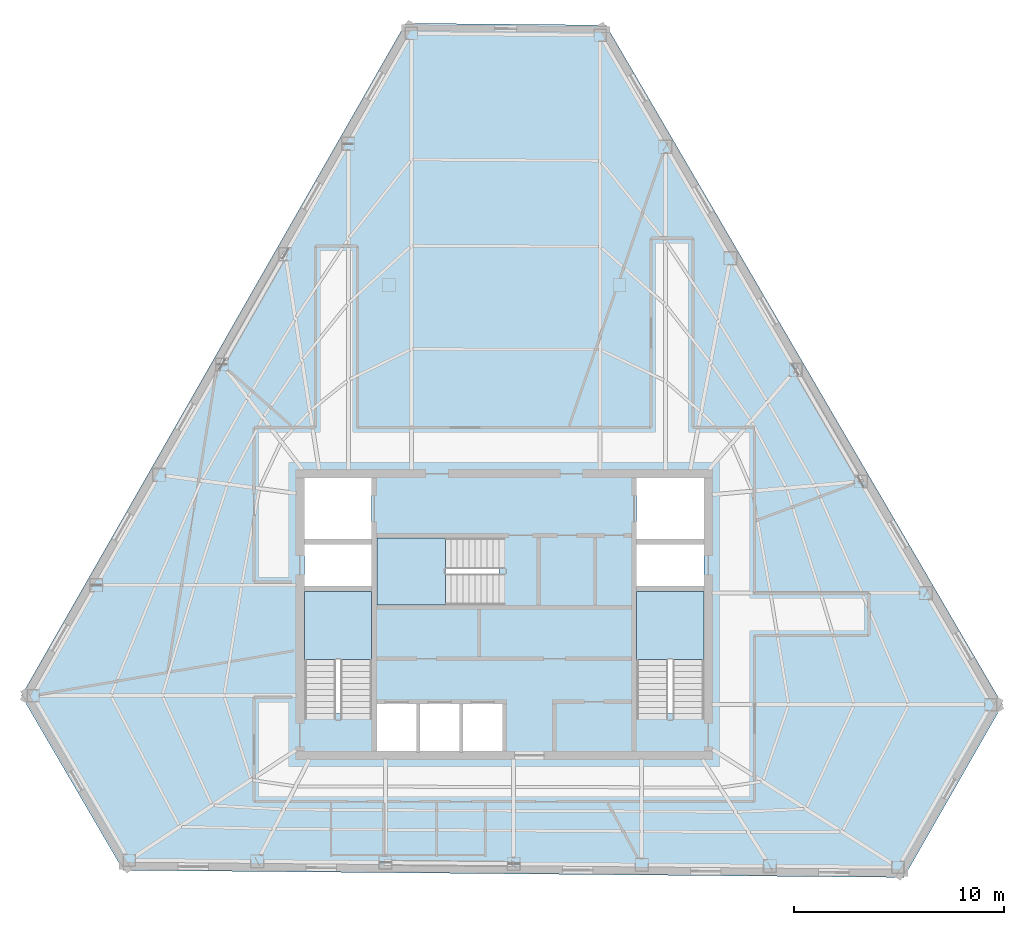
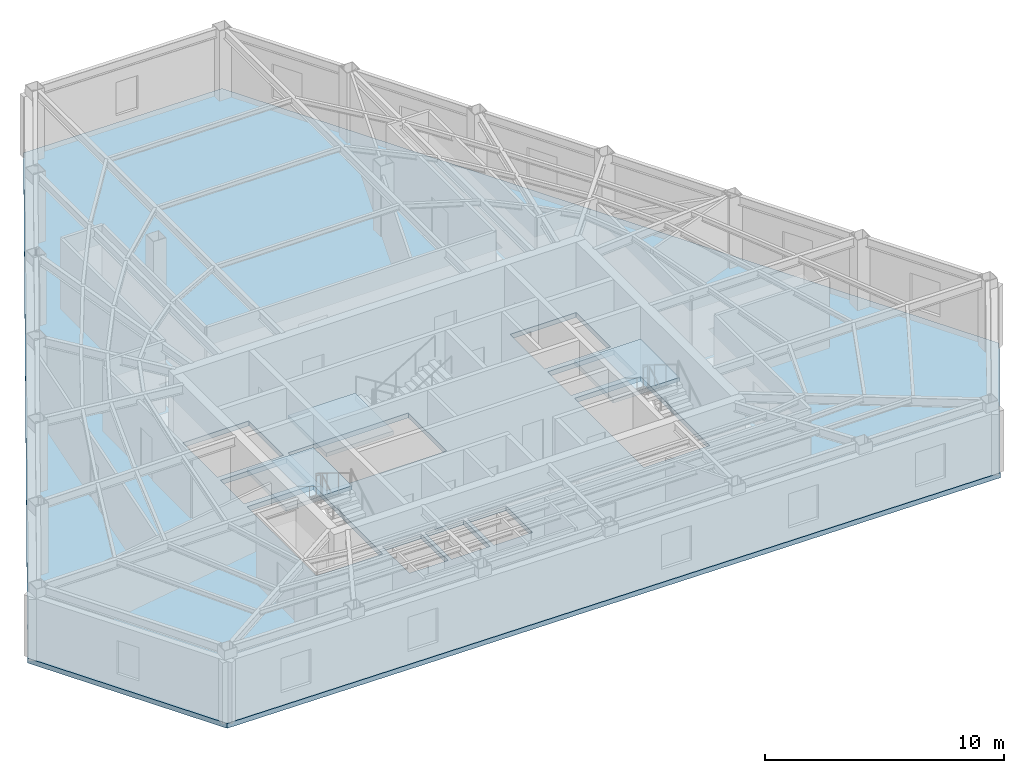
# One storey, part 3 of 10: 4 slabs, 3 elements without a shape of their own.
"""IFC4 building model written with IfcOpenShell, lengths in metres."""

from ifc_helpers import new_model, si_unit, direction, frame, origin, place, context, subcontext, project, spatial, polyline, outline, extrude, material, layer, layer_set, type_object, element, aggregate, save


model = new_model("IFC4")

# Units and contexts
model_context = context("Model", 3, precision=1e-05, world=origin(), true_north=direction((0.0, 1.0)))
body_context = subcontext(model_context, "Body", "Model", "MODEL_VIEW")
ifc_project = project(units=[si_unit("LENGTHUNIT", "METRE"), si_unit("AREAUNIT", "SQUARE_METRE"), si_unit("VOLUMEUNIT", "CUBIC_METRE"), si_unit("PLANEANGLEUNIT", "RADIAN"), si_unit("MASSUNIT", "GRAM", prefix="KILO")], contexts=[model_context])

# Site, building, storey
site_placement = place(None, origin())
site = spatial("IfcSite", under=ifc_project, at=site_placement, CompositionType="ELEMENT")
building_placement = place(site_placement, origin())
building = spatial("IfcBuilding", under=site, at=building_placement, Name="Kavelnor Concourse Tower", CompositionType="ELEMENT")
storey_placement = place(building_placement, frame((0.0, 0.0, 180.39990234375)))
storey = spatial("IfcBuildingStorey", under=building, at=storey_placement, Name="L45", CompositionType="ELEMENT", Elevation=180.39990234375)

# Stair, slab
ifc_material = material(Name="Concrete C40/50", Category="concrete")
stair_type = type_object("IfcStairType", Name="STR-CORE-1500", PredefinedType="HALF_TURN_STAIR", material=ifc_material)
stair_1_placement = place(storey_placement, origin())
stair_1 = element("IfcStair", 1, at=stair_1_placement, inside=storey, type_object=stair_type, Name="L45 ST1", PredefinedType="HALF_TURN_STAIR")
ifc_layer_1 = layer(ifc_material, 0.199951171875, Name="Concrete C40/50")
ifc_layer_set_1 = layer_set([ifc_layer_1], Name="Concrete C40/50")
slab_type_1 = type_object("IfcSlabType", Name="SLB-LANDING-200", PredefinedType="LANDING", material=ifc_layer_set_1)
slab_1_placement = place(storey_placement, frame((0.0, 0.0, 1.72509765625)))
slab_1 = element("IfcSlab", 2, at=slab_1_placement, type_object=slab_type_1, Name="ST1 landing 1", PredefinedType="LANDING", context=body_context, shape_type="SweptSolid", body=[
    extrude(outline(polyline([(31.679931640625, 13.949951171875), (31.679931640625, 17.199951171875), (28.47998046875, 17.199951171875), (28.47998046875, 13.949951171875), (31.679931640625, 13.949951171875)])), origin(), (0.0, 0.0, 1.0), 0.199951171875),
])
aggregate(stair_1, [slab_1])

stair_2_placement = place(storey_placement, origin())
stair_2 = element("IfcStair", 3, at=stair_2_placement, inside=storey, type_object=stair_type, Name="L45 ST2", PredefinedType="HALF_TURN_STAIR")
slab_2_placement = place(storey_placement, frame((0.0, 0.0, 1.72509765625)))
slab_2 = element("IfcSlab", 4, at=slab_2_placement, type_object=slab_type_1, Name="ST2 landing 1", PredefinedType="LANDING", context=body_context, shape_type="SweptSolid", body=[
    extrude(outline(polyline([(47.52001953125, 13.949951171875), (47.52001953125, 17.199951171875), (44.320068359375, 17.199951171875), (44.320068359375, 13.949951171875), (47.52001953125, 13.949951171875)])), origin(), (0.0, 0.0, 1.0), 0.199951171875),
])
aggregate(stair_2, [slab_2])

stair_3_placement = place(storey_placement, origin())
stair_3 = element("IfcStair", 5, at=stair_3_placement, inside=storey, type_object=stair_type, Name="L45 ST3", PredefinedType="HALF_TURN_STAIR")
slab_3_placement = place(storey_placement, frame((0.0, 0.0, 1.72509765625)))
slab_3 = element("IfcSlab", 6, at=slab_3_placement, type_object=slab_type_1, Name="ST3 landing 1", PredefinedType="LANDING", context=body_context, shape_type="SweptSolid", body=[
    extrude(outline(polyline([(35.18994140625, 19.760009765625), (31.93994140625, 19.760009765625), (31.93994140625, 16.56005859375), (35.18994140625, 16.56005859375), (35.18994140625, 19.760009765625)])), origin(), (0.0, 0.0, 1.0), 0.199951171875),
])
aggregate(stair_3, [slab_3])

# Slab
ifc_layer_2 = layer(ifc_material, 0.25, Name="Concrete C40/50")
ifc_layer_set_2 = layer_set([ifc_layer_2], Name="Concrete C40/50")
slab_type_2 = type_object("IfcSlabType", Name="SLB-OFFICE-250", PredefinedType="FLOOR", material=ifc_layer_set_2)
slab_4_placement = place(storey_placement, frame((0.0, 0.0, -0.25)))
element("IfcSlab", 7, at=slab_4_placement, inside=storey, type_object=slab_type_2, Name="L45 Composite Structural Floor Slab", PredefinedType="FLOOR", context=body_context, shape_type="SweptSolid", body=[
    extrude(outline(polyline([(42.856689453125, 44.204833984375), (33.295166015625, 44.29248046875), (14.98095703125, 12.23046875), (19.837646484375, 3.906005859375), (57.056884765625, 3.564697265625), (61.761962890625, 11.801513671875), (42.856689453125, 44.204833984375)]), holes=[polyline([(28.47998046875, 11.3798828125), (31.679931640625, 11.3798828125), (31.679931640625, 17.199951171875), (28.47998046875, 17.199951171875), (28.47998046875, 11.3798828125)]), polyline([(44.320068359375, 11.3798828125), (47.52001953125, 11.3798828125), (47.52001953125, 17.199951171875), (44.320068359375, 17.199951171875), (44.320068359375, 11.3798828125)]), polyline([(31.93994140625, 16.56005859375), (37.760009765625, 16.56005859375), (37.760009765625, 19.760009765625), (31.93994140625, 19.760009765625), (31.93994140625, 16.56005859375)]), polyline([(28.47998046875, 19.699951171875), (31.679931640625, 19.699951171875), (31.679931640625, 22.60009765625), (28.47998046875, 22.60009765625), (28.47998046875, 19.699951171875)]), polyline([(44.320068359375, 19.699951171875), (47.52001953125, 19.699951171875), (47.52001953125, 22.60009765625), (44.320068359375, 22.60009765625), (44.320068359375, 19.699951171875)]), polyline([(31.93994140625, 9.60009765625), (33.81005859375, 9.60009765625), (33.81005859375, 11.840087890625), (31.93994140625, 11.840087890625), (31.93994140625, 9.60009765625)]), polyline([(33.989990234375, 9.60009765625), (35.860107421875, 9.60009765625), (35.860107421875, 11.840087890625), (33.989990234375, 11.840087890625), (33.989990234375, 9.60009765625)]), polyline([(36.0400390625, 9.60009765625), (37.909912109375, 9.60009765625), (37.909912109375, 11.840087890625), (36.0400390625, 11.840087890625), (36.0400390625, 9.60009765625)]), polyline([(28.47998046875, 17.4599609375), (31.679931640625, 17.4599609375), (31.679931640625, 19.43994140625), (28.47998046875, 19.43994140625), (28.47998046875, 17.4599609375)]), polyline([(44.320068359375, 17.4599609375), (47.52001953125, 17.4599609375), (47.52001953125, 19.43994140625), (44.320068359375, 19.43994140625), (44.320068359375, 17.4599609375)])]), origin(), (0.0, 0.0, 1.0), 0.25),
])

save(model, "model.ifc")
